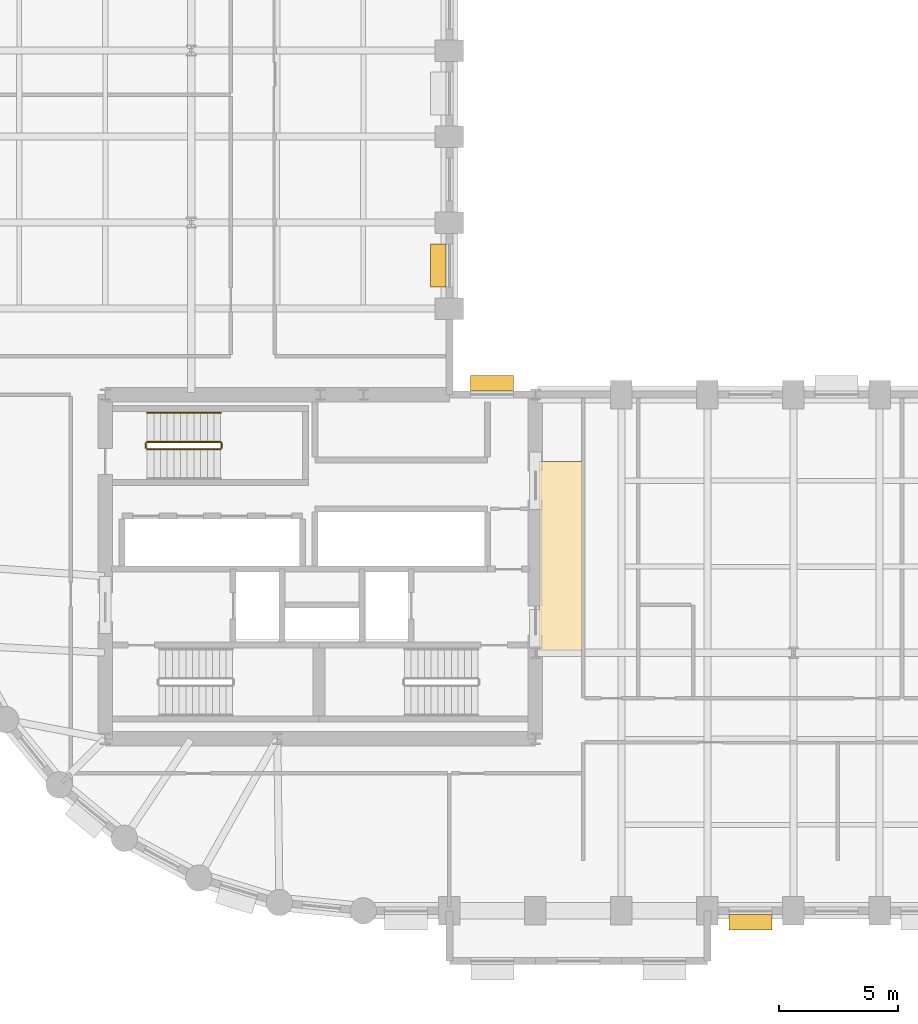
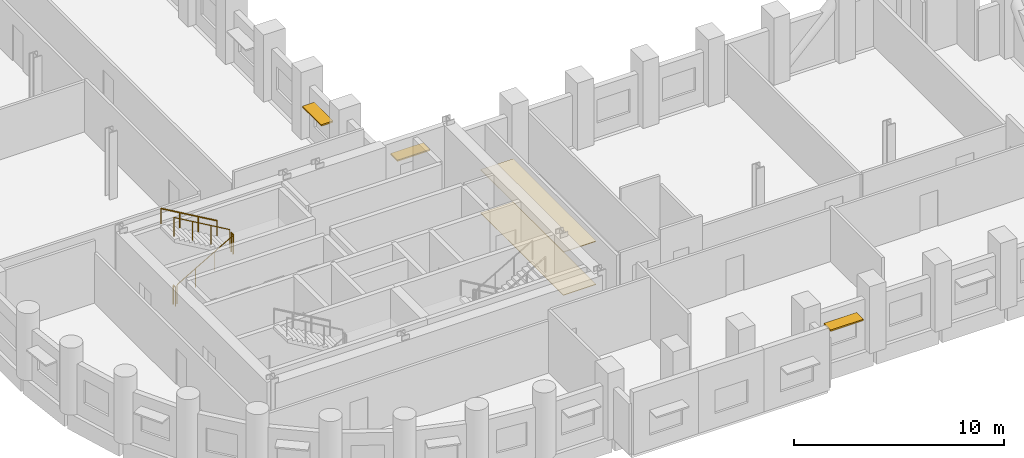
# One storey, part 11 of 12: 5 railings, 3 shading devices, 2 coverings.
"""IFC4 building model written with IfcOpenShell, lengths in metres."""

from ifc_helpers import new_model, si_unit, direction, frame, origin, origin_2d, place, context, subcontext, project, spatial, polyline, rectangle, circle, outline, extrude, material, layer, layer_set, type_object, element, save


model = new_model("IFC4")

# Units and contexts
model_context = context("Model", 3, precision=1e-05, world=origin(), true_north=direction((0.0, 1.0)))
body_context = subcontext(model_context, "Body", "Model", "MODEL_VIEW")
ifc_project = project(units=[si_unit("LENGTHUNIT", "METRE"), si_unit("AREAUNIT", "SQUARE_METRE"), si_unit("VOLUMEUNIT", "CUBIC_METRE"), si_unit("PLANEANGLEUNIT", "RADIAN"), si_unit("MASSUNIT", "GRAM", prefix="KILO")], contexts=[model_context])

# Site, building, storey
site_placement = place(None, origin())
site = spatial("IfcSite", under=ifc_project, at=site_placement, CompositionType="ELEMENT")
building_placement = place(site_placement, origin())
building = spatial("IfcBuilding", under=site, at=building_placement, Name="Solnavia Interchange Tower", CompositionType="ELEMENT")
storey_placement = place(building_placement, frame((0.0, 0.0, 31.800048828125)))
storey = spatial("IfcBuildingStorey", under=building, at=storey_placement, Name="L07", CompositionType="ELEMENT", Elevation=31.800048828125)

# Coverings
ifc_material_1 = material(Name="Perforated Mineral-Fibre & Gypsum Ceiling", Category="gypsum")
ifc_layer_1 = layer(ifc_material_1, 0.0400390625)
ifc_layer_set_1 = layer_set([ifc_layer_1], Name="Perforated Mineral-Fibre & Gypsum Ceiling")
covering_type_1 = type_object("IfcCoveringType", Name="Covering-Ceiling-Acoustic40", PredefinedType="CEILING", material=ifc_layer_set_1)
covering_1_placement = place(storey_placement, frame((0.0, 0.0, 2.5)))
element("IfcCovering", 1, at=covering_1_placement, inside=storey, type_object=covering_type_1, Name="CLG-L07-01 Circulation suspended acoustic ceiling", PredefinedType="CEILING", context=body_context, shape_type="SweptSolid", body=[
    extrude(outline(polyline([(32.550048828125, 14.5), (34.35009765625, 14.5), (34.35009765625, 22.39990234375), (32.550048828125, 22.39990234375), (32.550048828125, 14.5)])), origin(), (0.0, 0.0, 1.0), 0.0400390625),
])
ifc_material_2 = material(Name="Polished Alicante Stone Terrazzo", Category="masonry")
ifc_layer_2 = layer(ifc_material_2, 0.02490234375)
ifc_layer_set_2 = layer_set([ifc_layer_2], Name="Polished Alicante Stone Terrazzo")
covering_type_2 = type_object("IfcCoveringType", Name="Covering-Flooring-Terrazzo25", PredefinedType="FLOORING", material=ifc_layer_set_2)
covering_2_placement = place(storey_placement, origin())
element("IfcCovering", 2, at=covering_2_placement, inside=storey, type_object=covering_type_2, Name="FLR-L07-01 Circulation floor finish", PredefinedType="FLOORING", context=body_context, shape_type="SweptSolid", body=[
    extrude(outline(polyline([(32.550048828125, 14.5), (34.35009765625, 14.5), (34.35009765625, 22.39990234375), (32.550048828125, 22.39990234375), (32.550048828125, 14.5)])), origin(), (0.0, 0.0, 1.0), 0.02490234375),
])

# Railings
ifc_material_3 = material(Name="Painted Steel Balustrade", Category="steel")
railing_type_1 = type_object("IfcRailingType", Name="Railing-StairGuard-1100", PredefinedType="GUARDRAIL", material=ifc_material_3)
railing_1_placement = place(storey_placement, frame((16.14990234375, 22.919921875, 0.162353515625)))
element("IfcRailing", 3, at=railing_1_placement, inside=storey, type_object=railing_type_1, Name="L07 ST-3 stair guard 1", PredefinedType="GUARDRAIL", context=body_context, shape_type="SweptSolid", body=[
    extrude(circle(Radius=0.02392578125, at=origin_2d()), frame((0.0, 0.0, 1.09619140625), z_axis=(0.864890721111, 0.0, 0.501960198159), x_axis=(0.0, 1.0, 0.0)), (0.0, 0.0, 1.0), 3.561279296875),
    extrude(circle(Radius=0.02099609375, at=origin_2d()), origin(), (0.0, 0.0, 1.0), 1.072021484375),
    extrude(circle(Radius=0.02099609375, at=origin_2d()), frame((1.026611328125, 0.0, 0.595947265625)), (0.0, 0.0, 1.0), 1.072021484375),
    extrude(circle(Radius=0.02099609375, at=origin_2d()), frame((2.053466796875, 0.0, 1.191650390625)), (0.0, 0.0, 1.0), 1.072021484375),
    extrude(circle(Radius=0.02099609375, at=origin_2d()), frame((3.080078125, 0.0, 1.78759765625)), (0.0, 0.0, 1.0), 1.072021484375),
])
railing_2_placement = place(storey_placement, frame((19.280029296875, 22.969970703125, 1.949951171875)))
element("IfcRailing", 4, at=railing_2_placement, inside=storey, type_object=railing_type_1, Name="L07 ST-3 stair guard 2", PredefinedType="GUARDRAIL", context=body_context, shape_type="SweptSolid", body=[
    extrude(circle(Radius=0.02392578125, at=origin_2d()), frame((0.0, 0.0, 1.09619140625), z_axis=(0.0, 1.0, 0.0), x_axis=(-1.0, 0.0, 0.0)), (0.0, 0.0, 1.0), 0.199951171875),
    extrude(circle(Radius=0.02099609375, at=origin_2d()), origin(), (0.0, 0.0, 1.0), 1.072021484375),
    extrude(circle(Radius=0.02099609375, at=origin_2d()), frame((0.0, 0.199951171875, 0.0)), (0.0, 0.0, 1.0), 1.072021484375),
])
railing_3_placement = place(storey_placement, frame((19.22998046875, 23.219970703125, 2.112548828125)))
element("IfcRailing", 5, at=railing_3_placement, inside=storey, type_object=railing_type_1, Name="L07 ST-3 stair guard 3", PredefinedType="GUARDRAIL", context=body_context, shape_type="SweptSolid", body=[
    extrude(circle(Radius=0.02392578125, at=origin_2d()), frame((0.0, 0.0, 1.09619140625), z_axis=(-0.864920483161, 0.0, 0.501908913857), x_axis=(0.0, -1.0, 0.0)), (0.0, 0.0, 1.0), 3.56103515625),
    extrude(circle(Radius=0.02099609375, at=origin_2d()), origin(), (0.0, 0.0, 1.0), 1.072021484375),
    extrude(circle(Radius=0.02099609375, at=origin_2d()), frame((-1.026611328125, 0.0, 0.595703125)), (0.0, 0.0, 1.0), 1.072021484375),
    extrude(circle(Radius=0.02099609375, at=origin_2d()), frame((-2.053466796875, 0.0, 1.191650390625)), (0.0, 0.0, 1.0), 1.072021484375),
    extrude(circle(Radius=0.02099609375, at=origin_2d()), frame((-3.080078125, 0.0, 1.787353515625)), (0.0, 0.0, 1.0), 1.072021484375),
])
railing_4_placement = place(storey_placement, frame((16.10009765625, 22.969970703125, 0.0)))
element("IfcRailing", 6, at=railing_4_placement, inside=storey, type_object=railing_type_1, Name="L07 ST-3 stair guard 4", PredefinedType="GUARDRAIL", context=body_context, shape_type="SweptSolid", body=[
    extrude(circle(Radius=0.02392578125, at=origin_2d()), frame((0.0, 0.0, 1.09619140625), z_axis=(0.0, 1.0, 0.0), x_axis=(-1.0, 0.0, 0.0)), (0.0, 0.0, 1.0), 0.199951171875),
    extrude(circle(Radius=0.02099609375, at=origin_2d()), origin(), (0.0, 0.0, 1.0), 1.072021484375),
    extrude(circle(Radius=0.02099609375, at=origin_2d()), frame((0.0, 0.199951171875, 0.0)), (0.0, 0.0, 1.0), 1.072021484375),
])
ifc_material_4 = material(Name="Brushed Stainless Steel", Category="steel")
railing_type_2 = type_object("IfcRailingType", Name="Railing-StairHandrail-900", PredefinedType="HANDRAIL", material=ifc_material_4)
railing_5_placement = place(storey_placement, frame((19.22998046875, 24.43994140625, 2.112548828125)))
element("IfcRailing", 7, at=railing_5_placement, inside=storey, type_object=railing_type_2, Name="L07 ST-3 stair handrail 2", PredefinedType="HANDRAIL", context=body_context, shape_type="SweptSolid", body=[
    extrude(circle(Radius=0.02392578125, at=origin_2d()), frame((0.0, 0.0, 0.8759765625), z_axis=(-0.864920483161, 0.0, 0.501908913857), x_axis=(0.0, -1.0, 0.0)), (0.0, 0.0, 1.0), 3.56103515625),
    extrude(circle(Radius=0.02099609375, at=origin_2d()), origin(), (0.0, 0.0, 1.0), 0.851806640625),
    extrude(circle(Radius=0.02099609375, at=origin_2d()), frame((-1.026611328125, 0.0, 0.595703125)), (0.0, 0.0, 1.0), 0.851806640625),
    extrude(circle(Radius=0.02099609375, at=origin_2d()), frame((-2.053466796875, 0.0, 1.191650390625)), (0.0, 0.0, 1.0), 0.851806640625),
    extrude(circle(Radius=0.02099609375, at=origin_2d()), frame((-3.080078125, 0.0, 1.787353515625)), (0.0, 0.0, 1.0), 0.851806640625),
])

# Shading devices
ifc_material_5 = material(Name="Anodised Aluminium Sunshade", Category="aluminium")
ifc_layer_3 = layer(ifc_material_5, 0.080078125)
ifc_layer_set_3 = layer_set([ifc_layer_3], Name="Anodised Aluminium Sunshade")
shading_device_type = type_object("IfcShadingDeviceType", Name="Sunshade-Band-650", PredefinedType="SHUTTER", material=ifc_layer_set_3)
for number, where, z_axis, x_axis, name in (
    (8, (41.39990234375, 3.1298828125, 2.219970703125), (0.0, 0.0, 1.0), (-1.0, 0.0, 0.0), "SHD-L07-07 Horizontal sunshade band"),
    (9, (30.577880859375, 25.669921875, 2.219970703125), (0.0, 0.0, 1.0), (1.0, 0.0, 0.0), "SHD-L07-31 Horizontal sunshade band"),
    (10, (28.330078125, 30.60009765625, 2.219970703125), (0.0, 0.0, 1.0), (0.0, 1.0, 0.0), "SHD-L07-33 Horizontal sunshade band"),
):
    element("IfcShadingDevice", number, at=place(storey_placement, frame(where, z_axis=z_axis, x_axis=x_axis)), inside=storey, type_object=shading_device_type, Name=name, PredefinedType="SHUTTER", context=body_context, shape_type="SweptSolid", body=[
        extrude(rectangle(XDim=1.800048828125, YDim=0.64990234375, at=origin_2d()), origin(), (0.0, 0.0, 1.0), 0.080078125),
    ])

save(model, "model.ifc")
